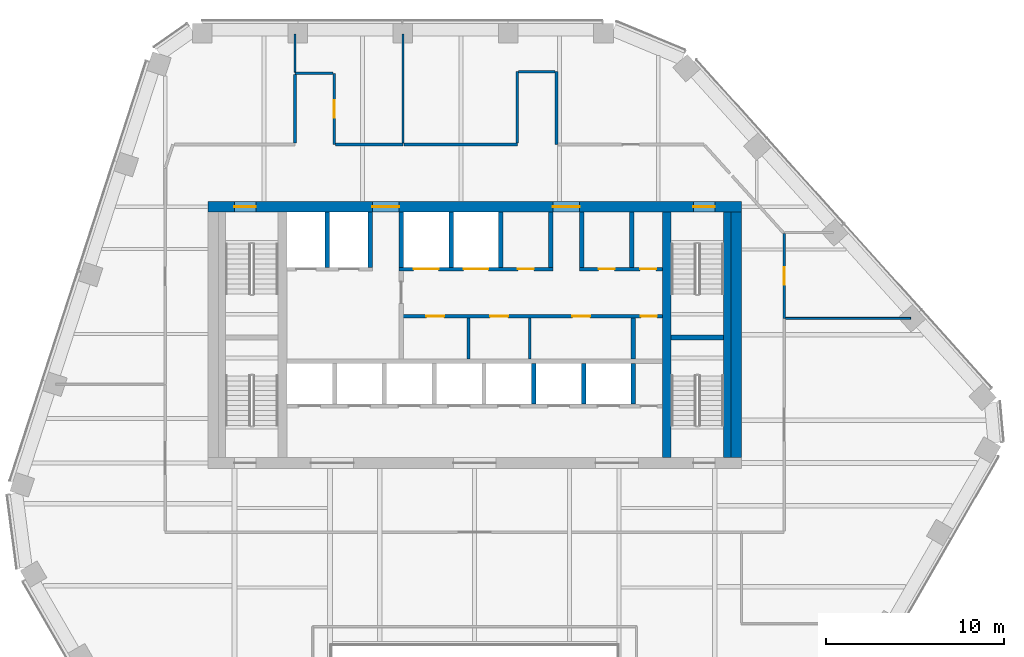
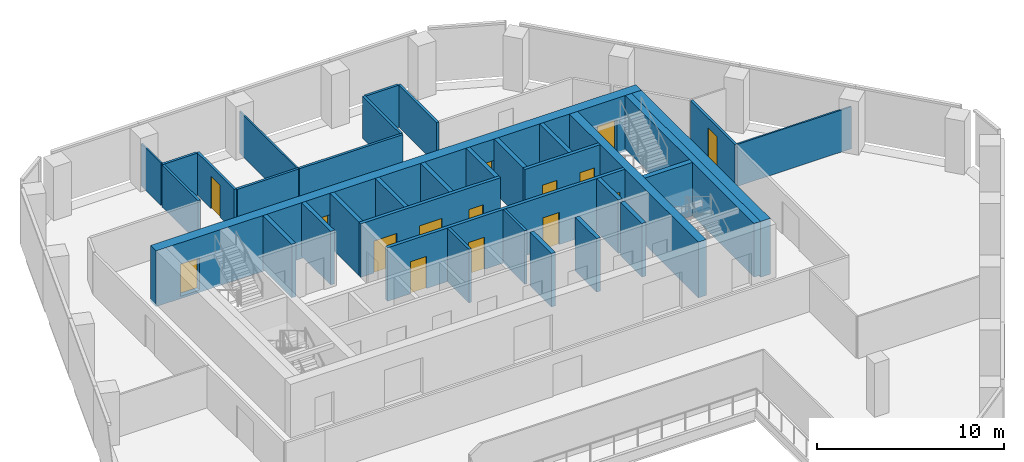
# One storey, part 10 of 15: 34 walls, 15 doors, 15 openings.
"""IFC4 building model written with IfcOpenShell, lengths in metres."""

from ifc_helpers import new_model, si_unit, direction, frame, frame_2d, origin, place, context, subcontext, project, spatial, rectangle, extrude, material, layer, layer_set, type_object, element, fill, save


model = new_model("IFC4")

# Units and contexts
model_context = context("Model", 3, precision=1e-05, world=origin(), true_north=direction((0.0, 1.0)))
body_context = subcontext(model_context, "Body", "Model", "MODEL_VIEW")
ifc_project = project(units=[si_unit("LENGTHUNIT", "METRE"), si_unit("AREAUNIT", "SQUARE_METRE"), si_unit("VOLUMEUNIT", "CUBIC_METRE"), si_unit("PLANEANGLEUNIT", "RADIAN"), si_unit("MASSUNIT", "GRAM", prefix="KILO")], contexts=[model_context])

# Site, building, storey
site_placement = place(None, origin())
site = spatial("IfcSite", under=ifc_project, at=site_placement, CompositionType="ELEMENT")
building_placement = place(site_placement, origin())
building = spatial("IfcBuilding", under=site, at=building_placement, Name="Isthmus Gate Tower", CompositionType="ELEMENT")
storey_placement = place(building_placement, frame((0.0, 0.0, 245.5)))
storey = spatial("IfcBuildingStorey", under=building, at=storey_placement, Name="L62", CompositionType="ELEMENT", Elevation=245.5)

# Wall, opening, door
ifc_material_1 = material(Name="Gypsum board on steel studs, fire-rated", Category="steel")
ifc_layer_1 = layer(ifc_material_1, 0.14990234375)
ifc_layer_set_1 = layer_set([ifc_layer_1], Name="CORRIDOR WALL 150 60 MIN")
wall_type_1 = type_object("IfcWallType", Name="CORRIDOR WALL 150 60 MIN", PredefinedType="PARTITIONING", material=ifc_layer_set_1)
wall_1_placement = place(storey_placement, frame((-7.89990234375, 22.199951171875, 0.0), z_axis=(0.0, 0.0, 1.0), x_axis=(0.0, -1.0, 0.0)))
wall_1 = element("IfcWall", 1, at=wall_1_placement, inside=storey, type_object=wall_type_1, Name="L62 Corridor Wall 150 60 Min", PredefinedType="PARTITIONING", context=body_context, shape_type="SweptSolid", body=[
    extrude(rectangle(XDim=4.0, YDim=0.14990234375, at=frame_2d((2.0, 0.0))), origin(), (0.0, 0.0, 1.0), 2.750732421875),
])
opening_1_placement = place(wall_1_placement, frame((1.5, 0.0, 0.0)))
opening_1 = element("IfcOpeningElement", 2, at=opening_1_placement, cuts=wall_1, Name="Opening DT-T5C-01", PredefinedType="OPENING", context=body_context, shape_type="SweptSolid", body=[
    extrude(rectangle(XDim=1.0, YDim=2.10009765625, at=frame_2d((0.5, 1.050048828125))), frame((0.0, 0.0849609375, 0.0), z_axis=(0.0, -1.0, 0.0), x_axis=(1.0, 0.0, 0.0)), (0.0, 0.0, 1.0), 0.169921875),
])
ifc_material_2 = material(Name="Solid core timber door leaf, fire-rated", Category="wood")
door_type_1 = type_object("IfcDoorType", Name="FIRE DOOR ROOM 1000 X 2100 60 MIN", OperationType="SINGLE_SWING_LEFT", PredefinedType="DOOR", material=ifc_material_2)
door_1_placement = place(opening_1_placement, origin())
door_1 = element("IfcDoor", 3, at=door_1_placement, inside=storey, type_object=door_type_1, Name="L62 room door", OperationType="SINGLE_SWING_RIGHT", OverallHeight=2.10009765625, OverallWidth=1.0, PredefinedType="DOOR", context=body_context, shape_type="SweptSolid", body=[
    extrude(rectangle(XDim=1.0, YDim=2.10009765625, at=frame_2d((0.5, 1.050048828125))), frame((0.0, 0.02490234375, 0.0), z_axis=(0.0, -1.0, 0.0), x_axis=(1.0, 0.0, 0.0)), (0.0, 0.0, 1.0), 0.050048828125),
])
fill(opening_1, door_1)

# Wall
wall_2_placement = place(storey_placement, frame((4.60009765625, 22.300048828125, 0.0), z_axis=(0.0, 0.0, 1.0), x_axis=(0.0, -1.0, 0.0)))
element("IfcWall", 4, at=wall_2_placement, inside=storey, type_object=wall_type_1, Name="L62 Corridor Wall 150 60 Min", PredefinedType="PARTITIONING", context=body_context, shape_type="SweptSolid", body=[
    extrude(rectangle(XDim=4.10009765625, YDim=0.14990234375, at=frame_2d((2.050048828125, 0.0))), origin(), (0.0, 0.0, 1.0), 2.750732421875),
])

# Wall, opening, door
wall_3_placement = place(storey_placement, frame((17.39990234375, 13.18603515625, 0.0), z_axis=(0.0, 0.0, 1.0), x_axis=(0.0, -1.0, 0.0)))
wall_3 = element("IfcWall", 5, at=wall_3_placement, inside=storey, type_object=wall_type_1, Name="L62 Corridor Wall 150 60 Min", PredefinedType="PARTITIONING", context=body_context, shape_type="SweptSolid", body=[
    extrude(rectangle(XDim=4.758056640625, YDim=0.14990234375, at=frame_2d((2.37890625, 0.0))), origin(), (0.0, 0.0, 1.0), 2.750732421875),
])
opening_2_placement = place(wall_3_placement, frame((1.87890625, 0.0, 0.0)))
opening_2 = element("IfcOpeningElement", 6, at=opening_2_placement, cuts=wall_3, Name="Opening DT-T5C-04", PredefinedType="OPENING", context=body_context, shape_type="SweptSolid", body=[
    extrude(rectangle(XDim=1.0, YDim=2.10009765625, at=frame_2d((0.5, 1.050048828125))), frame((0.0, 0.0849609375, 0.0), z_axis=(0.0, -1.0, 0.0), x_axis=(1.0, 0.0, 0.0)), (0.0, 0.0, 1.0), 0.169921875),
])
door_2_placement = place(opening_2_placement, origin())
door_2 = element("IfcDoor", 7, at=door_2_placement, inside=storey, type_object=door_type_1, Name="L62 room door", OperationType="SINGLE_SWING_RIGHT", OverallHeight=2.10009765625, OverallWidth=1.0, PredefinedType="DOOR", context=body_context, shape_type="SweptSolid", body=[
    extrude(rectangle(XDim=1.0, YDim=2.10009765625, at=frame_2d((0.5, 1.050048828125))), frame((0.0, 0.02490234375, 0.0), z_axis=(0.0, -1.0, 0.0), x_axis=(1.0, 0.0, 0.0)), (0.0, 0.0, 1.0), 0.050048828125),
])
fill(opening_2, door_2)

# Walls
wall_4_placement = place(storey_placement, frame((-10.10009765625, 22.199951171875, 0.0), z_axis=(0.0, 0.0, 1.0), x_axis=(1.0, 0.0, 0.0)))
element("IfcWall", 8, at=wall_4_placement, inside=storey, type_object=wall_type_1, Name="L62 Corridor Wall 150 60 Min", PredefinedType="PARTITIONING", context=body_context, shape_type="SweptSolid", body=[
    extrude(rectangle(XDim=2.125, YDim=0.14990234375, at=frame_2d((1.0625, 0.0))), origin(), (0.0, 0.0, 1.0), 2.750732421875),
])
wall_5_placement = place(storey_placement, frame((-7.824951171875, 18.199951171875, 0.0), z_axis=(0.0, 0.0, 1.0), x_axis=(1.0, 0.0, 0.0)))
element("IfcWall", 9, at=wall_5_placement, inside=storey, type_object=wall_type_1, Name="L62 Corridor Wall 150 60 Min", PredefinedType="PARTITIONING", context=body_context, shape_type="SweptSolid", body=[
    extrude(rectangle(XDim=3.794921875, YDim=0.14990234375, at=frame_2d((1.8974609375, 0.0))), origin(), (0.0, 0.0, 1.0), 2.750732421875),
])
wall_6_placement = place(storey_placement, frame((-10.10009765625, 18.27490234375, 0.0), z_axis=(0.0, 0.0, 1.0), x_axis=(0.0, 1.0, 0.0)))
element("IfcWall", 10, at=wall_6_placement, inside=storey, type_object=wall_type_1, Name="L62 Corridor Wall 150 60 Min", PredefinedType="PARTITIONING", context=body_context, shape_type="SweptSolid", body=[
    extrude(rectangle(XDim=3.85009765625, YDim=0.14990234375, at=frame_2d((1.925048828125, 0.0))), origin(), (0.0, 0.0, 1.0), 2.750732421875),
])
wall_7_placement = place(storey_placement, frame((-3.97998046875, 18.199951171875, 0.0), z_axis=(0.0, 0.0, 1.0), x_axis=(1.0, 0.0, 0.0)))
element("IfcWall", 11, at=wall_7_placement, inside=storey, type_object=wall_type_1, Name="L62 Corridor Wall 150 60 Min", PredefinedType="PARTITIONING", context=body_context, shape_type="SweptSolid", body=[
    extrude(rectangle(XDim=6.3798828125, YDim=0.14990234375, at=frame_2d((3.18994140625, 0.0))), origin(), (0.0, 0.0, 1.0), 2.750732421875),
])
wall_8_placement = place(storey_placement, frame((2.39990234375, 18.27490234375, 0.0), z_axis=(0.0, 0.0, 1.0), x_axis=(0.0, 1.0, 0.0)))
element("IfcWall", 12, at=wall_8_placement, inside=storey, type_object=wall_type_1, Name="L62 Corridor Wall 150 60 Min", PredefinedType="PARTITIONING", context=body_context, shape_type="SweptSolid", body=[
    extrude(rectangle(XDim=4.025146484375, YDim=0.14990234375, at=frame_2d((2.0126953125, 0.0))), origin(), (0.0, 0.0, 1.0), 2.750732421875),
])
wall_9_placement = place(storey_placement, frame((2.47509765625, 22.300048828125, 0.0), z_axis=(0.0, 0.0, 1.0), x_axis=(1.0, 0.0, 0.0)))
element("IfcWall", 13, at=wall_9_placement, inside=storey, type_object=wall_type_1, Name="L62 Corridor Wall 150 60 Min", PredefinedType="PARTITIONING", context=body_context, shape_type="SweptSolid", body=[
    extrude(rectangle(XDim=2.0498046875, YDim=0.14990234375, at=frame_2d((1.02490234375, 0.0))), origin(), (0.0, 0.0, 1.0), 2.750732421875),
])
ifc_material_3 = material(Name="Concrete f'c 50 MPa", Category="concrete")
ifc_layer_2 = layer(ifc_material_3, 0.5)
ifc_layer_set_2 = layer_set([ifc_layer_2], Name="RC CORE SPINE WALL 500 F'C 50")
wall_type_2 = type_object("IfcWallType", Name="RC CORE SPINE WALL 500 F'C 50", PredefinedType="SOLIDWALL", material=ifc_layer_set_2)
wall_10_placement = place(storey_placement, frame((10.800048828125, 0.60009765625, -0.14990234375), z_axis=(0.0, 0.0, 1.0), x_axis=(0.0, 1.0, 0.0)))
element("IfcWall", 14, at=wall_10_placement, inside=storey, type_object=wall_type_2, Name="str-corewall-L62-SPE", PredefinedType="SOLIDWALL", context=body_context, shape_type="SweptSolid", body=[
    extrude(rectangle(XDim=13.7998046875, YDim=0.5, at=frame_2d((6.89990234375, 0.0))), origin(), (0.0, 0.0, 1.0), 3.64990234375),
])

# Wall, openings, doors
ifc_material_4 = material(Name="Concrete f'c 50 MPa", Category="concrete")
ifc_layer_3 = layer(ifc_material_4, 0.60009765625)
ifc_layer_set_3 = layer_set([ifc_layer_3], Name="RC CORE WALL 600 F'C 50")
wall_type_3 = type_object("IfcWallType", Name="RC CORE WALL 600 F'C 50", PredefinedType="SOLIDWALL", material=ifc_layer_set_3)
wall_11_placement = place(storey_placement, frame((-15.0, 14.699951171875, -0.14990234375), z_axis=(0.0, 0.0, 1.0), x_axis=(1.0, 0.0, 0.0)))
wall_11 = element("IfcWall", 15, at=wall_11_placement, inside=storey, type_object=wall_type_3, Name="str-corewall-L62-N", PredefinedType="SOLIDWALL", context=body_context, shape_type="SweptSolid", body=[
    extrude(rectangle(XDim=30.0, YDim=0.60009765625, at=frame_2d((15.0, 0.0))), origin(), (0.0, 0.0, 1.0), 3.64990234375),
])
opening_3_placement = place(wall_11_placement, frame((9.25, 0.0, 0.14990234375)))
opening_3 = element("IfcOpeningElement", 16, at=opening_3_placement, cuts=wall_11, Name="Opening DC-A20-13", PredefinedType="OPENING", context=body_context, shape_type="SweptSolid", body=[
    extrude(rectangle(XDim=1.5, YDim=2.10009765625, at=frame_2d((0.75, 1.050048828125))), frame((0.0, 0.31005859375, 0.0), z_axis=(0.0, -1.0, 0.0), x_axis=(1.0, 0.0, 0.0)), (0.0, 0.0, 1.0), 0.6201171875),
])
opening_4_placement = place(wall_11_placement, frame((19.39990234375, 0.0, 0.14990234375)))
opening_4 = element("IfcOpeningElement", 17, at=opening_4_placement, cuts=wall_11, Name="Opening DC-A20-14", PredefinedType="OPENING", context=body_context, shape_type="SweptSolid", body=[
    extrude(rectangle(XDim=1.5, YDim=2.10009765625, at=frame_2d((0.75, 1.050048828125))), frame((0.0, 0.31005859375, 0.0), z_axis=(0.0, -1.0, 0.0), x_axis=(1.0, 0.0, 0.0)), (0.0, 0.0, 1.0), 0.6201171875),
])
opening_5_placement = place(wall_11_placement, frame((1.5, 0.0, 0.14990234375)))
opening_5 = element("IfcOpeningElement", 18, at=opening_5_placement, cuts=wall_11, Name="Opening DC-A20-15", PredefinedType="OPENING", context=body_context, shape_type="SweptSolid", body=[
    extrude(rectangle(XDim=1.199951171875, YDim=2.10009765625, at=frame_2d((0.60009765625, 1.050048828125))), frame((0.0, 0.31005859375, 0.0), z_axis=(0.0, -1.0, 0.0), x_axis=(1.0, 0.0, 0.0)), (0.0, 0.0, 1.0), 0.6201171875),
])
opening_6_placement = place(wall_11_placement, frame((27.300048828125, 0.0, 0.14990234375)))
opening_6 = element("IfcOpeningElement", 19, at=opening_6_placement, cuts=wall_11, Name="Opening DC-A20-16", PredefinedType="OPENING", context=body_context, shape_type="SweptSolid", body=[
    extrude(rectangle(XDim=1.199951171875, YDim=2.10009765625, at=frame_2d((0.60009765625, 1.050048828125))), frame((0.0, 0.31005859375, 0.0), z_axis=(0.0, -1.0, 0.0), x_axis=(1.0, 0.0, 0.0)), (0.0, 0.0, 1.0), 0.6201171875),
])
ifc_material_5 = material(Name="Steel door leaf, fire-rated", Category="steel")
door_type_2 = type_object("IfcDoorType", Name="LOBBY FIRE DOOR 1500 X 2100 60 MIN", OperationType="DOUBLE_DOOR_SINGLE_SWING", PredefinedType="DOOR", material=ifc_material_5)
door_3_placement = place(opening_4_placement, origin())
door_3 = element("IfcDoor", 20, at=door_3_placement, inside=storey, type_object=door_type_2, Name="Lobby Door PN-E", OperationType="DOUBLE_DOOR_SINGLE_SWING", OverallHeight=2.10009765625, OverallWidth=1.5, PredefinedType="DOOR", context=body_context, shape_type="SweptSolid", body=[
    extrude(rectangle(XDim=1.5, YDim=2.10009765625, at=frame_2d((0.75, 1.050048828125))), frame((0.0, 0.02490234375, 0.0), z_axis=(0.0, -1.0, 0.0), x_axis=(1.0, 0.0, 0.0)), (0.0, 0.0, 1.0), 0.050048828125),
])
fill(opening_4, door_3)
ifc_material_6 = material(Name="Steel door leaf, fire-rated", Category="steel")
door_type_3 = type_object("IfcDoorType", Name="LOBBY FIRE DOOR 1500 X 2100 90 MIN", OperationType="DOUBLE_DOOR_SINGLE_SWING", PredefinedType="DOOR", material=ifc_material_6)
door_4_placement = place(opening_3_placement, origin())
door_4 = element("IfcDoor", 21, at=door_4_placement, inside=storey, type_object=door_type_3, Name="Lobby Door PN-W", OperationType="DOUBLE_DOOR_SINGLE_SWING", OverallHeight=2.10009765625, OverallWidth=1.5, PredefinedType="DOOR", context=body_context, shape_type="SweptSolid", body=[
    extrude(rectangle(XDim=1.5, YDim=2.10009765625, at=frame_2d((0.75, 1.050048828125))), frame((0.0, 0.02490234375, 0.0), z_axis=(0.0, -1.0, 0.0), x_axis=(1.0, 0.0, 0.0)), (0.0, 0.0, 1.0), 0.050048828125),
])
fill(opening_3, door_4)
ifc_material_7 = material(Name="Steel door leaf, fire-rated", Category="steel")
door_type_4 = type_object("IfcDoorType", Name="STAIR FIRE DOOR 1200 X 2100 90 MIN", OperationType="SINGLE_SWING_LEFT", PredefinedType="DOOR", material=ifc_material_7)
door_5_placement = place(opening_5_placement, origin())
door_5 = element("IfcDoor", 22, at=door_5_placement, inside=storey, type_object=door_type_4, Name="Exit Stair 1 Door", OperationType="SINGLE_SWING_RIGHT", OverallHeight=2.10009765625, OverallWidth=1.199951171875, PredefinedType="DOOR", context=body_context, shape_type="SweptSolid", body=[
    extrude(rectangle(XDim=1.199951171875, YDim=2.10009765625, at=frame_2d((0.60009765625, 1.050048828125))), frame((0.0, 0.02490234375, 0.0), z_axis=(0.0, -1.0, 0.0), x_axis=(1.0, 0.0, 0.0)), (0.0, 0.0, 1.0), 0.050048828125),
])
fill(opening_5, door_5)
door_6_placement = place(opening_6_placement, origin())
door_6 = element("IfcDoor", 23, at=door_6_placement, inside=storey, type_object=door_type_4, Name="Exit Stair 2 Door", OperationType="SINGLE_SWING_LEFT", OverallHeight=2.10009765625, OverallWidth=1.199951171875, PredefinedType="DOOR", context=body_context, shape_type="SweptSolid", body=[
    extrude(rectangle(XDim=1.199951171875, YDim=2.10009765625, at=frame_2d((0.60009765625, 1.050048828125))), frame((0.0, 0.02490234375, 0.0), z_axis=(0.0, -1.0, 0.0), x_axis=(1.0, 0.0, 0.0)), (0.0, 0.0, 1.0), 0.050048828125),
])
fill(opening_6, door_6)

# Walls
wall_12_placement = place(storey_placement, frame((14.699951171875, 0.60009765625, -0.14990234375), z_axis=(0.0, 0.0, 1.0), x_axis=(0.0, 1.0, 0.0)))
element("IfcWall", 24, at=wall_12_placement, inside=storey, type_object=wall_type_3, Name="str-corewall-L62-E", PredefinedType="SOLIDWALL", context=body_context, shape_type="SweptSolid", body=[
    extrude(rectangle(XDim=13.7998046875, YDim=0.60009765625, at=frame_2d((6.89990234375, 0.0))), origin(), (0.0, 0.0, 1.0), 3.64990234375),
])
ifc_material_8 = material(Name="Gypsum board on steel studs, fire-rated", Category="steel")
ifc_layer_4 = layer(ifc_material_8, 0.10009765625)
ifc_layer_set_4 = layer_set([ifc_layer_4], Name="ROOM PARTITION 100 30 MIN")
wall_type_4 = type_object("IfcWallType", Name="ROOM PARTITION 100 30 MIN", PredefinedType="PARTITIONING", material=ifc_layer_set_4)
wall_13_placement = place(storey_placement, frame((-4.030029296875, 18.27490234375, 0.0), z_axis=(0.0, 0.0, 1.0), x_axis=(0.0, 1.0, 0.0)))
element("IfcWall", 25, at=wall_13_placement, inside=storey, type_object=wall_type_4, Name="L62 Room Partition 100 30 Min", PredefinedType="PARTITIONING", context=body_context, shape_type="SweptSolid", body=[
    extrude(rectangle(XDim=6.125, YDim=0.10009765625, at=frame_2d((3.0625, 0.0))), origin(), (0.0, 0.0, 1.0), 2.750732421875),
])
wall_14_placement = place(storey_placement, frame((-10.101806640625, 22.27490234375, 0.0), z_axis=(0.0, 0.0, 1.0), x_axis=(0.000804227681, 0.999999676609, 0.0)))
element("IfcWall", 26, at=wall_14_placement, inside=storey, type_object=wall_type_4, Name="L62 Room Partition 100 30 Min", PredefinedType="PARTITIONING", context=body_context, shape_type="SweptSolid", body=[
    extrude(rectangle(XDim=2.125, YDim=0.10009765625, at=frame_2d((1.0625, 0.0))), origin(), (0.0, 0.0, 1.0), 2.750732421875),
])
wall_15_placement = place(storey_placement, frame((17.47509765625, 8.427978515625, 0.0), z_axis=(0.0, 0.0, 1.0), x_axis=(1.0, 0.0, 0.0)))
element("IfcWall", 27, at=wall_15_placement, inside=storey, type_object=wall_type_4, Name="L62 Room Partition 100 30 Min", PredefinedType="PARTITIONING", context=body_context, shape_type="SweptSolid", body=[
    extrude(rectangle(XDim=7.034912109375, YDim=0.10009765625, at=frame_2d((3.517578125, 0.0))), origin(), (0.0, 0.0, 1.0), 2.750732421875),
])
ifc_material_9 = material(Name="Gypsum board on steel studs, fire-rated", Category="steel")
ifc_layer_5 = layer(ifc_material_9, 0.14990234375)
ifc_layer_set_5 = layer_set([ifc_layer_5], Name="ROOM PARTITION 150 60 MIN")
wall_type_5 = type_object("IfcWallType", Name="ROOM PARTITION 150 60 MIN", PredefinedType="PARTITIONING", material=ifc_layer_set_5)
for number, where, z_axis, x_axis, name in (
    (28, (-0.35009765625, 6.14990234375, 0.0), (0.0, 0.0, 1.0), (0.0, 1.0, 0.0), "L62 ROOM PARTITION 150 60 MIN"),
    (29, (3.10009765625, 6.14990234375, 0.0), (0.0, 0.0, 1.0), (0.0, 1.0, 0.0), "L62 ROOM PARTITION 150 60 MIN"),
):
    element("IfcWall", number, at=place(storey_placement, frame(where, z_axis=z_axis, x_axis=x_axis)), inside=storey, type_object=wall_type_5, Name=name, PredefinedType="PARTITIONING", context=body_context, shape_type="SweptSolid", body=[
        extrude(rectangle(XDim=2.300048828125, YDim=0.14990234375, at=frame_2d((1.14990234375, 0.0))), origin(), (0.0, 0.0, 1.0), 3.5),
    ])

# Wall, openings, doors
ifc_material_10 = material(Name="Fire-rated blockwork masonry, 15 MPa", Category="masonry")
ifc_layer_6 = layer(ifc_material_10, 0.199951171875)
ifc_layer_set_6 = layer_set([ifc_layer_6], Name="SHAFT FRONT WALL 200 120 MIN")
wall_type_6 = type_object("IfcWallType", Name="SHAFT FRONT WALL 200 120 MIN", PredefinedType="PARTITIONING", material=ifc_layer_set_6)
wall_16_placement = place(storey_placement, frame((-4.125, 8.550048828125, 0.0), z_axis=(0.0, 0.0, 1.0), x_axis=(1.0, 0.0, 0.0)))
wall_16 = element("IfcWall", 30, at=wall_16_placement, inside=storey, type_object=wall_type_6, Name="L62 SHAFT FRONT WALL 200 120 MIN", PredefinedType="PARTITIONING", context=body_context, shape_type="SweptSolid", body=[
    extrude(rectangle(XDim=14.675048828125, YDim=0.199951171875, at=frame_2d((7.33740234375, 0.0))), origin(), (0.0, 0.0, 1.0), 3.5),
])
opening_7_placement = place(wall_16_placement, frame((1.41259765625, 0.0, 0.0)))
opening_7 = element("IfcOpeningElement", 31, at=opening_7_placement, cuts=wall_16, Name="Opening DC-A20-03", PredefinedType="OPENING", context=body_context, shape_type="SweptSolid", body=[
    extrude(rectangle(XDim=1.0, YDim=2.10009765625, at=frame_2d((0.5, 1.050048828125))), frame((0.0, 0.10986328125, 0.0), z_axis=(0.0, -1.0, 0.0), x_axis=(1.0, 0.0, 0.0)), (0.0, 0.0, 1.0), 0.219970703125),
])
opening_8_placement = place(wall_16_placement, frame((5.0, 0.0, 0.0)))
opening_8 = element("IfcOpeningElement", 32, at=opening_8_placement, cuts=wall_16, Name="Opening DC-A20-04", PredefinedType="OPENING", context=body_context, shape_type="SweptSolid", body=[
    extrude(rectangle(XDim=1.0, YDim=2.10009765625, at=frame_2d((0.5, 1.050048828125))), frame((0.0, 0.10986328125, 0.0), z_axis=(0.0, -1.0, 0.0), x_axis=(1.0, 0.0, 0.0)), (0.0, 0.0, 1.0), 0.219970703125),
])
opening_9_placement = place(wall_16_placement, frame((9.612548828125, 0.0, 0.0)))
opening_9 = element("IfcOpeningElement", 33, at=opening_9_placement, cuts=wall_16, Name="Opening DC-A20-05", PredefinedType="OPENING", context=body_context, shape_type="SweptSolid", body=[
    extrude(rectangle(XDim=1.0, YDim=2.10009765625, at=frame_2d((0.5, 1.050048828125))), frame((0.0, 0.10986328125, 0.0), z_axis=(0.0, -1.0, 0.0), x_axis=(1.0, 0.0, 0.0)), (0.0, 0.0, 1.0), 0.219970703125),
])
opening_10_placement = place(wall_16_placement, frame((13.47509765625, 0.0, 0.0)))
opening_10 = element("IfcOpeningElement", 34, at=opening_10_placement, cuts=wall_16, Name="Opening DC-A20-06", PredefinedType="OPENING", context=body_context, shape_type="SweptSolid", body=[
    extrude(rectangle(XDim=0.89990234375, YDim=2.10009765625, at=frame_2d((0.449951171875, 1.050048828125))), frame((0.0, 0.10986328125, 0.0), z_axis=(0.0, -1.0, 0.0), x_axis=(1.0, 0.0, 0.0)), (0.0, 0.0, 1.0), 0.219970703125),
])
ifc_material_11 = material(Name="Steel door leaf, fire-rated", Category="steel")
door_type_5 = type_object("IfcDoorType", Name="FIRE DOOR 1000 X 2100 60 MIN", OperationType="SINGLE_SWING_LEFT", PredefinedType="DOOR", material=ifc_material_11)
door_7_placement = place(opening_7_placement, origin())
door_7 = element("IfcDoor", 35, at=door_7_placement, inside=storey, type_object=door_type_5, Name="WC Men Door", OperationType="SINGLE_SWING_LEFT", OverallHeight=2.10009765625, OverallWidth=1.0, PredefinedType="DOOR", context=body_context, shape_type="SweptSolid", body=[
    extrude(rectangle(XDim=1.0, YDim=2.10009765625, at=frame_2d((0.5, 1.050048828125))), frame((0.0, 0.02490234375, 0.0), z_axis=(0.0, -1.0, 0.0), x_axis=(1.0, 0.0, 0.0)), (0.0, 0.0, 1.0), 0.050048828125),
])
fill(opening_7, door_7)
door_8_placement = place(opening_8_placement, origin())
door_8 = element("IfcDoor", 36, at=door_8_placement, inside=storey, type_object=door_type_5, Name="WC Women Door", OperationType="SINGLE_SWING_RIGHT", OverallHeight=2.10009765625, OverallWidth=1.0, PredefinedType="DOOR", context=body_context, shape_type="SweptSolid", body=[
    extrude(rectangle(XDim=1.0, YDim=2.10009765625, at=frame_2d((0.5, 1.050048828125))), frame((0.0, 0.02490234375, 0.0), z_axis=(0.0, -1.0, 0.0), x_axis=(1.0, 0.0, 0.0)), (0.0, 0.0, 1.0), 0.050048828125),
])
fill(opening_8, door_8)
door_9_placement = place(opening_9_placement, origin())
door_9 = element("IfcDoor", 37, at=door_9_placement, inside=storey, type_object=door_type_5, Name="Accessible WC Door", OperationType="SINGLE_SWING_LEFT", OverallHeight=2.10009765625, OverallWidth=1.0, PredefinedType="DOOR", context=body_context, shape_type="SweptSolid", body=[
    extrude(rectangle(XDim=1.0, YDim=2.10009765625, at=frame_2d((0.5, 1.050048828125))), frame((0.0, 0.02490234375, 0.0), z_axis=(0.0, -1.0, 0.0), x_axis=(1.0, 0.0, 0.0)), (0.0, 0.0, 1.0), 0.050048828125),
])
fill(opening_9, door_9)
ifc_material_12 = material(Name="Steel door leaf, fire-rated", Category="steel")
door_type_6 = type_object("IfcDoorType", Name="RISER FIRE DOOR 900 X 2100 90 MIN", OperationType="SINGLE_SWING_LEFT", PredefinedType="DOOR", material=ifc_material_12)
door_10_placement = place(opening_10_placement, origin())
door_10 = element("IfcDoor", 38, at=door_10_placement, inside=storey, type_object=door_type_6, Name="Riser Door", OperationType="SINGLE_SWING_RIGHT", OverallHeight=2.10009765625, OverallWidth=0.89990234375, PredefinedType="DOOR", context=body_context, shape_type="SweptSolid", body=[
    extrude(rectangle(XDim=0.89990234375, YDim=2.10009765625, at=frame_2d((0.449951171875, 1.050048828125))), frame((0.0, 0.02490234375, 0.0), z_axis=(0.0, -1.0, 0.0), x_axis=(1.0, 0.0, 0.0)), (0.0, 0.0, 1.0), 0.050048828125),
])
fill(opening_10, door_10)

wall_17_placement = place(storey_placement, frame((-4.25, 11.199951171875, 0.0), z_axis=(0.0, 0.0, 1.0), x_axis=(1.0, 0.0, 0.0)))
wall_17 = element("IfcWall", 39, at=wall_17_placement, inside=storey, type_object=wall_type_6, Name="L62 SHAFT FRONT WALL 200 120 MIN", PredefinedType="PARTITIONING", context=body_context, shape_type="SweptSolid", body=[
    extrude(rectangle(XDim=8.64990234375, YDim=0.199951171875, at=frame_2d((4.324951171875, 0.0))), origin(), (0.0, 0.0, 1.0), 3.5),
])
opening_11_placement = place(wall_17_placement, frame((0.824951171875, 0.0, 0.0)))
opening_11 = element("IfcOpeningElement", 40, at=opening_11_placement, cuts=wall_17, Name="Opening LD-LV1", PredefinedType="OPENING", context=body_context, shape_type="SweptSolid", body=[
    extrude(rectangle(XDim=1.39990234375, YDim=2.10009765625, at=frame_2d((0.699951171875, 1.050048828125))), frame((0.0, 0.10986328125, 0.0), z_axis=(0.0, -1.0, 0.0), x_axis=(1.0, 0.0, 0.0)), (0.0, 0.0, 1.0), 0.219970703125),
])
opening_12_placement = place(wall_17_placement, frame((3.625, 0.0, 0.0)))
opening_12 = element("IfcOpeningElement", 41, at=opening_12_placement, cuts=wall_17, Name="Opening LD-LV2", PredefinedType="OPENING", context=body_context, shape_type="SweptSolid", body=[
    extrude(rectangle(XDim=1.39990234375, YDim=2.10009765625, at=frame_2d((0.699951171875, 1.050048828125))), frame((0.0, 0.10986328125, 0.0), z_axis=(0.0, -1.0, 0.0), x_axis=(1.0, 0.0, 0.0)), (0.0, 0.0, 1.0), 0.219970703125),
])
opening_13_placement = place(wall_17_placement, frame((6.675048828125, 0.0, 0.0)))
opening_13 = element("IfcOpeningElement", 42, at=opening_13_placement, cuts=wall_17, Name="Opening DC-A20-07", PredefinedType="OPENING", context=body_context, shape_type="SweptSolid", body=[
    extrude(rectangle(XDim=0.89990234375, YDim=2.10009765625, at=frame_2d((0.449951171875, 1.050048828125))), frame((0.0, 0.10986328125, 0.0), z_axis=(0.0, -1.0, 0.0), x_axis=(1.0, 0.0, 0.0)), (0.0, 0.0, 1.0), 0.219970703125),
])
ifc_material_13 = material(Name="Steel door leaf, fire-rated", Category="steel")
door_type_7 = type_object("IfcDoorType", Name="FIRE DOOR 900 X 2100 60 MIN", OperationType="SINGLE_SWING_LEFT", PredefinedType="DOOR", material=ifc_material_13)
door_11_placement = place(opening_13_placement, origin())
door_11 = element("IfcDoor", 43, at=door_11_placement, inside=storey, type_object=door_type_7, Name="Janitor Store Door", OperationType="SINGLE_SWING_LEFT", OverallHeight=2.10009765625, OverallWidth=0.89990234375, PredefinedType="DOOR", context=body_context, shape_type="SweptSolid", body=[
    extrude(rectangle(XDim=0.89990234375, YDim=2.10009765625, at=frame_2d((0.449951171875, 1.050048828125))), frame((0.0, 0.02490234375, 0.0), z_axis=(0.0, -1.0, 0.0), x_axis=(1.0, 0.0, 0.0)), (0.0, 0.0, 1.0), 0.050048828125),
])
fill(opening_13, door_11)
ifc_material_14 = material(Name="Stainless steel sliding leaf", Category="steel")
door_type_8 = type_object("IfcDoorType", Name="LIFT LANDING FIRE DOOR 1400 X 2100 90 MIN", OperationType="DOUBLE_DOOR_SLIDING", PredefinedType="DOOR", material=ifc_material_14)
door_12_placement = place(opening_11_placement, origin())
door_12 = element("IfcDoor", 44, at=door_12_placement, inside=storey, type_object=door_type_8, Name="Lift Landing Door LV1", OperationType="DOUBLE_DOOR_SLIDING", OverallHeight=2.10009765625, OverallWidth=1.39990234375, PredefinedType="DOOR", context=body_context, shape_type="SweptSolid", body=[
    extrude(rectangle(XDim=1.39990234375, YDim=2.10009765625, at=frame_2d((0.699951171875, 1.050048828125))), frame((0.0, 0.02490234375, 0.0), z_axis=(0.0, -1.0, 0.0), x_axis=(1.0, 0.0, 0.0)), (0.0, 0.0, 1.0), 0.050048828125),
])
fill(opening_11, door_12)
door_13_placement = place(opening_12_placement, origin())
door_13 = element("IfcDoor", 45, at=door_13_placement, inside=storey, type_object=door_type_8, Name="Lift Landing Door LV2", OperationType="DOUBLE_DOOR_SLIDING", OverallHeight=2.10009765625, OverallWidth=1.39990234375, PredefinedType="DOOR", context=body_context, shape_type="SweptSolid", body=[
    extrude(rectangle(XDim=1.39990234375, YDim=2.10009765625, at=frame_2d((0.699951171875, 1.050048828125))), frame((0.0, 0.02490234375, 0.0), z_axis=(0.0, -1.0, 0.0), x_axis=(1.0, 0.0, 0.0)), (0.0, 0.0, 1.0), 0.050048828125),
])
fill(opening_12, door_13)

wall_18_placement = place(storey_placement, frame((5.89990234375, 11.199951171875, 0.0), z_axis=(0.0, 0.0, 1.0), x_axis=(1.0, 0.0, 0.0)))
wall_18 = element("IfcWall", 46, at=wall_18_placement, inside=storey, type_object=wall_type_6, Name="L62 SHAFT FRONT WALL 200 120 MIN", PredefinedType="PARTITIONING", context=body_context, shape_type="SweptSolid", body=[
    extrude(rectangle(XDim=4.650146484375, YDim=0.199951171875, at=frame_2d((2.3251953125, 0.0))), origin(), (0.0, 0.0, 1.0), 3.5),
])
opening_14_placement = place(wall_18_placement, frame((1.074951171875, 0.0, 0.0)))
opening_14 = element("IfcOpeningElement", 47, at=opening_14_placement, cuts=wall_18, Name="Opening DC-A20-08", PredefinedType="OPENING", context=body_context, shape_type="SweptSolid", body=[
    extrude(rectangle(XDim=0.89990234375, YDim=2.10009765625, at=frame_2d((0.449951171875, 1.050048828125))), frame((0.0, 0.10986328125, 0.0), z_axis=(0.0, -1.0, 0.0), x_axis=(1.0, 0.0, 0.0)), (0.0, 0.0, 1.0), 0.219970703125),
])
opening_15_placement = place(wall_18_placement, frame((3.39990234375, 0.0, 0.0)))
opening_15 = element("IfcOpeningElement", 48, at=opening_15_placement, cuts=wall_18, Name="Opening DC-A20-09", PredefinedType="OPENING", context=body_context, shape_type="SweptSolid", body=[
    extrude(rectangle(XDim=0.89990234375, YDim=2.10009765625, at=frame_2d((0.449951171875, 1.050048828125))), frame((0.0, 0.10986328125, 0.0), z_axis=(0.0, -1.0, 0.0), x_axis=(1.0, 0.0, 0.0)), (0.0, 0.0, 1.0), 0.219970703125),
])
door_14_placement = place(opening_14_placement, origin())
door_14 = element("IfcDoor", 49, at=door_14_placement, inside=storey, type_object=door_type_7, Name="IT Room Door", OperationType="SINGLE_SWING_RIGHT", OverallHeight=2.10009765625, OverallWidth=0.89990234375, PredefinedType="DOOR", context=body_context, shape_type="SweptSolid", body=[
    extrude(rectangle(XDim=0.89990234375, YDim=2.10009765625, at=frame_2d((0.449951171875, 1.050048828125))), frame((0.0, 0.02490234375, 0.0), z_axis=(0.0, -1.0, 0.0), x_axis=(1.0, 0.0, 0.0)), (0.0, 0.0, 1.0), 0.050048828125),
])
fill(opening_14, door_14)
door_15_placement = place(opening_15_placement, origin())
door_15 = element("IfcDoor", 50, at=door_15_placement, inside=storey, type_object=door_type_6, Name="Riser Door", OperationType="SINGLE_SWING_LEFT", OverallHeight=2.10009765625, OverallWidth=0.89990234375, PredefinedType="DOOR", context=body_context, shape_type="SweptSolid", body=[
    extrude(rectangle(XDim=0.89990234375, YDim=2.10009765625, at=frame_2d((0.449951171875, 1.050048828125))), frame((0.0, 0.02490234375, 0.0), z_axis=(0.0, -1.0, 0.0), x_axis=(1.0, 0.0, 0.0)), (0.0, 0.0, 1.0), 0.050048828125),
])
fill(opening_15, door_15)

# Walls
ifc_material_15 = material(Name="Fire-rated blockwork masonry, 15 MPa", Category="masonry")
ifc_layer_7 = layer(ifc_material_15, 0.25)
ifc_layer_set_7 = layer_set([ifc_layer_7], Name="SHAFT WALL 250 120 MIN")
wall_type_7 = type_object("IfcWallType", Name="SHAFT WALL 250 120 MIN", PredefinedType="PARTITIONING", material=ifc_layer_set_7)
for number, where, z_axis, x_axis, name in (
    (51, (3.324951171875, 3.60009765625, 0.0), (0.0, 0.0, 1.0), (0.0, 1.0, 0.0), "L62 SHAFT WALL 250 120 MIN"),
    (52, (6.125, 3.60009765625, 0.0), (0.0, 0.0, 1.0), (0.0, 1.0, 0.0), "L62 SHAFT WALL 250 120 MIN"),
    (53, (8.925048828125, 3.60009765625, 0.0), (0.0, 0.0, 1.0), (0.0, 1.0, 0.0), "L62 SHAFT WALL 250 120 MIN"),
):
    element("IfcWall", number, at=place(storey_placement, frame(where, z_axis=z_axis, x_axis=x_axis)), inside=storey, type_object=wall_type_7, Name=name, PredefinedType="PARTITIONING", context=body_context, shape_type="SweptSolid", body=[
        extrude(rectangle(XDim=2.2998046875, YDim=0.25, at=frame_2d((1.14990234375, 0.0))), origin(), (0.0, 0.0, 1.0), 3.5),
    ])
wall_19_placement = place(storey_placement, frame((8.925048828125, 6.14990234375, 0.0), z_axis=(0.0, 0.0, 1.0), x_axis=(0.0, 1.0, 0.0)))
element("IfcWall", 54, at=wall_19_placement, inside=storey, type_object=wall_type_7, Name="L62 SHAFT WALL 250 120 MIN", PredefinedType="PARTITIONING", context=body_context, shape_type="SweptSolid", body=[
    extrude(rectangle(XDim=2.300048828125, YDim=0.25, at=frame_2d((1.14990234375, 0.0))), origin(), (0.0, 0.0, 1.0), 3.5),
])
for number, where, z_axis, x_axis, name in (
    (55, (-8.27490234375, 11.300048828125, 0.0), (0.0, 0.0, 1.0), (0.0, 1.0, 0.0), "L62 SHAFT WALL 250 120 MIN"),
    (56, (-5.875, 11.300048828125, 0.0), (0.0, 0.0, 1.0), (0.0, 1.0, 0.0), "L62 SHAFT WALL 250 120 MIN"),
    (57, (-4.125, 11.300048828125, 0.0), (0.0, 0.0, 1.0), (0.0, 1.0, 0.0), "L62 SHAFT WALL 250 120 MIN"),
    (58, (-1.324951171875, 11.300048828125, 0.0), (0.0, 0.0, 1.0), (0.0, 1.0, 0.0), "L62 SHAFT WALL 250 120 MIN"),
    (59, (1.47509765625, 11.300048828125, 0.0), (0.0, 0.0, 1.0), (0.0, 1.0, 0.0), "L62 SHAFT WALL 250 120 MIN"),
    (60, (4.27490234375, 11.300048828125, 0.0), (0.0, 0.0, 1.0), (0.0, 1.0, 0.0), "L62 SHAFT WALL 250 120 MIN"),
    (61, (6.02490234375, 11.300048828125, 0.0), (0.0, 0.0, 1.0), (0.0, 1.0, 0.0), "L62 SHAFT WALL 250 120 MIN"),
    (62, (8.824951171875, 11.300048828125, 0.0), (0.0, 0.0, 1.0), (0.0, 1.0, 0.0), "L62 SHAFT WALL 250 120 MIN"),
):
    element("IfcWall", number, at=place(storey_placement, frame(where, z_axis=z_axis, x_axis=x_axis)), inside=storey, type_object=wall_type_7, Name=name, PredefinedType="PARTITIONING", context=body_context, shape_type="SweptSolid", body=[
        extrude(rectangle(XDim=3.099853515625, YDim=0.25, at=frame_2d((1.5498046875, 0.0))), origin(), (0.0, 0.0, 1.0), 3.5),
    ])
ifc_material_16 = material(Name="Concrete f'c 40 MPa", Category="concrete")
ifc_layer_8 = layer(ifc_material_16, 0.300048828125)
ifc_layer_set_8 = layer_set([ifc_layer_8], Name="STAIR ENCLOSURE WALL 300 180 MIN")
wall_type_8 = type_object("IfcWallType", Name="STAIR ENCLOSURE WALL 300 180 MIN", PredefinedType="SOLIDWALL", material=ifc_layer_set_8)
wall_20_placement = place(storey_placement, frame((11.050048828125, 7.35009765625, 0.0), z_axis=(0.0, 0.0, 1.0), x_axis=(1.0, 0.0, 0.0)))
element("IfcWall", 63, at=wall_20_placement, inside=storey, type_object=wall_type_8, Name="L62 STAIR ENCLOSURE WALL 300 180 MIN", PredefinedType="SOLIDWALL", context=body_context, shape_type="SweptSolid", body=[
    extrude(rectangle(XDim=2.949951171875, YDim=0.300048828125, at=frame_2d((1.47509765625, 0.0))), origin(), (0.0, 0.0, 1.0), 3.5),
])
ifc_material_17 = material(Name="Concrete f'c 40 MPa", Category="concrete")
ifc_layer_9 = layer(ifc_material_17, 0.39990234375)
ifc_layer_set_9 = layer_set([ifc_layer_9], Name="STAIR ENCLOSURE WALL 400 180 MIN")
wall_type_9 = type_object("IfcWallType", Name="STAIR ENCLOSURE WALL 400 180 MIN", PredefinedType="SOLIDWALL", material=ifc_layer_set_9)
wall_21_placement = place(storey_placement, frame((14.199951171875, 0.60009765625, 0.0), z_axis=(0.0, 0.0, 1.0), x_axis=(0.0, 1.0, 0.0)))
element("IfcWall", 64, at=wall_21_placement, inside=storey, type_object=wall_type_9, Name="L62 STAIR ENCLOSURE WALL 400 180 MIN", PredefinedType="SOLIDWALL", context=body_context, shape_type="SweptSolid", body=[
    extrude(rectangle(XDim=13.7998046875, YDim=0.39990234375, at=frame_2d((6.89990234375, 0.0))), origin(), (0.0, 0.0, 1.0), 3.5),
])

save(model, "model.ifc")
